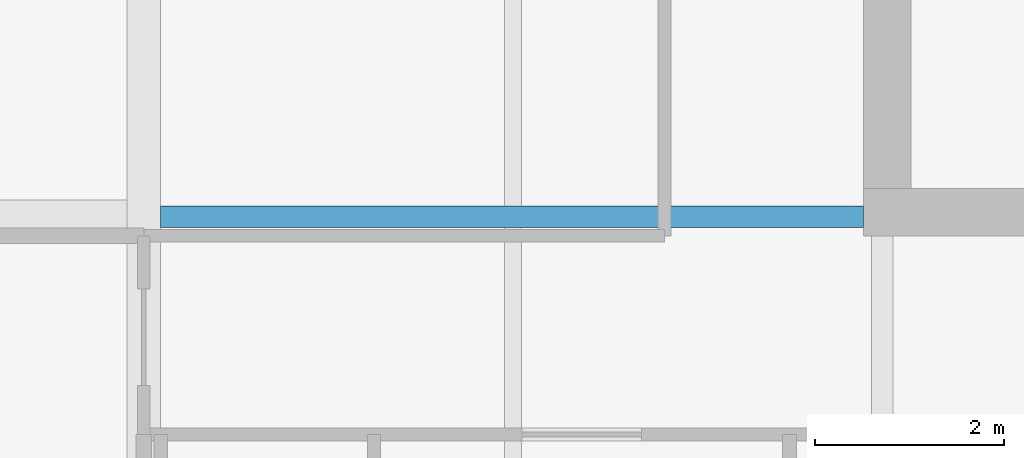
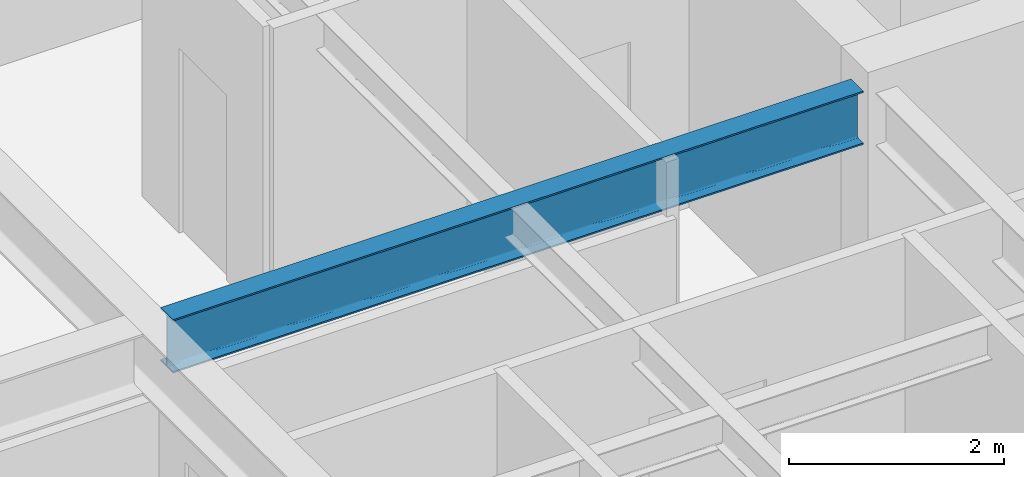
# One storey, part 8 of 31: 1 beam.
"""IFC4 building model written with IfcOpenShell, lengths in metres."""

from ifc_helpers import new_model, si_unit, direction, frame, origin, origin_2d, place, context, subcontext, project, spatial, i_section, extrude, material, material_profile, profile_set, type_object, element, save


model = new_model("IFC4")

# Units and contexts
model_context = context("Model", 3, precision=1e-05, world=origin(), true_north=direction((0.0, 1.0)))
body_context = subcontext(model_context, "Body", "Model", "MODEL_VIEW")
ifc_project = project(units=[si_unit("LENGTHUNIT", "METRE"), si_unit("AREAUNIT", "SQUARE_METRE"), si_unit("VOLUMEUNIT", "CUBIC_METRE"), si_unit("PLANEANGLEUNIT", "RADIAN"), si_unit("MASSUNIT", "GRAM", prefix="KILO")], contexts=[model_context])

# Site, building, storey
site_placement = place(None, origin())
site = spatial("IfcSite", under=ifc_project, at=site_placement, CompositionType="ELEMENT")
building_placement = place(site_placement, origin())
building = spatial("IfcBuilding", under=site, at=building_placement, Name="Drelvath Grand Hotel", CompositionType="ELEMENT")
storey_placement = place(building_placement, frame((0.0, 0.0, 185.89990234375)))
storey = spatial("IfcBuildingStorey", under=building, at=storey_placement, Name="L48", CompositionType="ELEMENT", Elevation=185.89990234375)

# Beam
ifc_material = material(Name="Steel ASTM A992 Gr 50", Category="steel")
ifc_material_profile = material_profile(ifc_material, i_section(OverallWidth=0.228271484375, OverallDepth=0.607666015625, WebThickness=0.01123046875, FlangeThickness=0.017333984375, FilletRadius=0.02001953125, at=origin_2d()), Name="W24X76")
ifc_profile_set = profile_set([ifc_material_profile], Name="Steel ASTM A992 Gr 50")
beam_type = type_object("IfcBeamType", Name="Primary Floor Girder W24X76", PredefinedType="BEAM", material=ifc_profile_set)
beam_placement = place(storey_placement, frame((-16.022705078125, 18.60009765625, 2.986328125), z_axis=(1.0, 0.0, 0.0), x_axis=(0.0, 1.0, 0.0)))
element("IfcBeam", 1, at=beam_placement, inside=storey, type_object=beam_type, Name="L48 West Core Tie D", PredefinedType="BEAM", context=body_context, shape_type="SweptSolid", body=[
    extrude(i_section(OverallWidth=0.228271484375, OverallDepth=0.607666015625, WebThickness=0.01123046875, FlangeThickness=0.017333984375, FilletRadius=0.02001953125, at=origin_2d()), origin(), (0.0, 0.0, 1.0), 7.422607421875),
])

save(model, "model.ifc")
